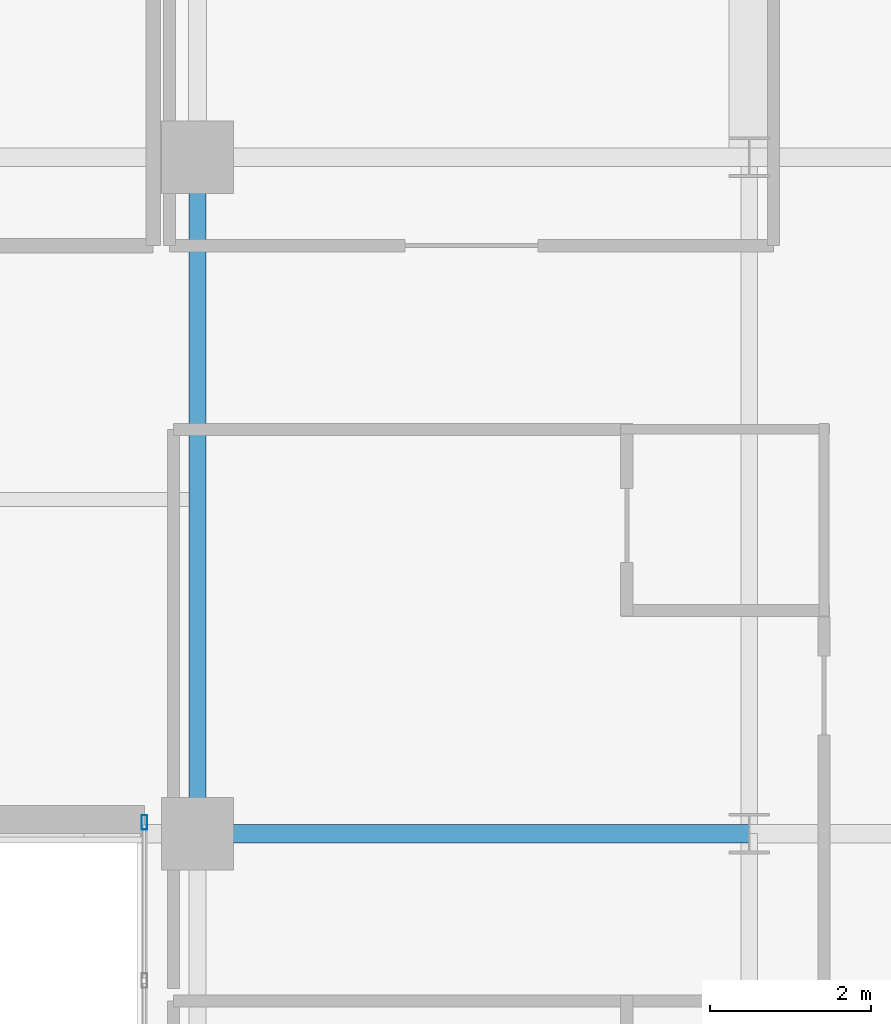
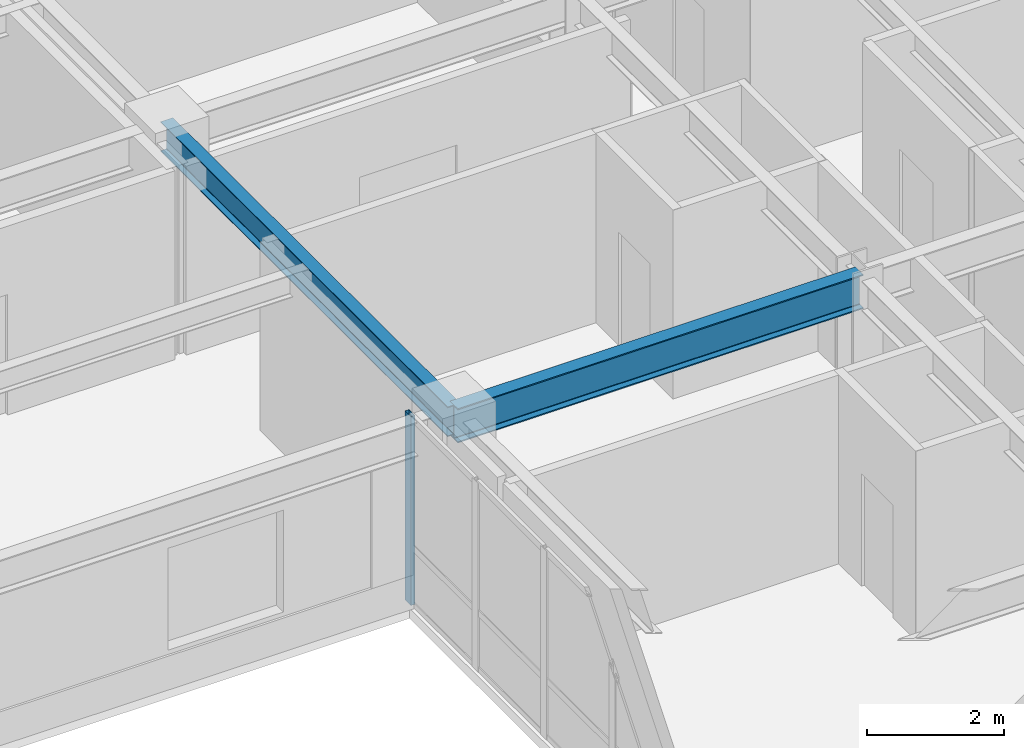
# One storey, part 11 of 25: 2 beams, 1 member, 1 element without a shape of its own.
"""IFC4 building model written with IfcOpenShell, lengths in metres."""

import ifcopenshell
import ifcopenshell.guid

model = None  # the IFC model being written
_history = None  # IfcOwnerHistory: only IFC2X3 demands one
_inside = {}  # id of a spatial element -> (the spatial element, [elements in it])
_under = {}  # id of a project, library or spatial element -> (it, [spatial elements below it])
_declared = {}  # id of a project -> (the project, [libraries it declares])
_typed = {}  # id of a type object -> (the type object, [elements of that type])
_made_of = {}  # id of a material, layer set ... -> (it, [elements and type objects made of it])


def new_model(schema):
    """Start an empty IFC model of exactly this schema.

    Asked for "IFC4X3", IfcOpenShell would pick the latest addendum, in which some entities
    have other attributes; the version numbers below select the first issue.
    IFC2X3 requires an IfcOwnerHistory on every rooted entity: one is made here for all.
    """
    global model, _history
    if schema == "IFC4X3":
        model = ifcopenshell.file(schema_version=(4, 3, 0, 0))
    else:
        model = ifcopenshell.file(schema=schema)
    _inside.clear()
    _under.clear()
    _declared.clear()
    _typed.clear()
    _made_of.clear()
    _history = None
    if model.schema == "IFC2X3":
        org = make("IfcOrganization", Name="unknown")
        user = make(
            "IfcPersonAndOrganization",
            ThePerson=make("IfcPerson", FamilyName="unknown"),
            TheOrganization=org,
        )
        app = make(
            "IfcApplication",
            ApplicationDeveloper=org,
            Version="unknown",
            ApplicationFullName="unknown",
            ApplicationIdentifier="unknown",
        )
        _history = make(
            "IfcOwnerHistory",
            OwningUser=user,
            OwningApplication=app,
            ChangeAction="ADDED",
            CreationDate=0,
        )
    return model


def make(cls, **values):
    """One entity of the class cls with the attributes given. An attribute that is None is left unset."""
    return model.create_entity(
        cls, **{name: value for name, value in values.items() if value is not None}
    )


def rooted(cls, **values):
    """An entity with a GlobalId (a new one), such as an element, a storey or a relation."""
    return make(cls, GlobalId=ifcopenshell.guid.new(), OwnerHistory=_history, **values)


def si_unit(unit_type, name, prefix=None):
    """IfcSIUnit, for example si_unit("LENGTHUNIT", "METRE", prefix="MILLI")."""
    return make("IfcSIUnit", UnitType=unit_type, Prefix=prefix, Name=name)


def assignment(units):
    """IfcUnitAssignment: the units of a project."""
    return None if units is None else make("IfcUnitAssignment", Units=units)


def point(xyz):
    """IfcCartesianPoint."""
    return None if xyz is None else make("IfcCartesianPoint", Coordinates=xyz)


def direction(xyz):
    """IfcDirection."""
    return None if xyz is None else make("IfcDirection", DirectionRatios=xyz)


def frame(location, z_axis=None, x_axis=None):
    """IfcAxis2Placement3D, a coordinate frame: its origin and axes. An axis left out is left unset."""
    return make(
        "IfcAxis2Placement3D",
        Location=point(location),
        Axis=direction(z_axis),
        RefDirection=direction(x_axis),
    )


def frame_2d(location, x_axis=None):
    """IfcAxis2Placement2D, a coordinate frame in the plane: its origin and x axis."""
    return make(
        "IfcAxis2Placement2D", Location=point(location), RefDirection=direction(x_axis)
    )


def origin():
    """The frame at (0, 0, 0) with its axes left unset."""
    return frame((0.0, 0.0, 0.0))


def origin_2d():
    """The frame at (0, 0) in the plane with its x axis left unset."""
    return frame_2d((0.0, 0.0))


def place(relative_to, where):
    """IfcLocalPlacement: puts the frame where relative to a parent placement (None: the world)."""
    return make(
        "IfcLocalPlacement", PlacementRelTo=relative_to, RelativePlacement=where
    )


def context(
    kind, dimensions, precision=None, world=None, true_north=None, identifier=None
):
    """IfcGeometricRepresentationContext, for example the 3D "Model" context."""
    return make(
        "IfcGeometricRepresentationContext",
        ContextIdentifier=identifier,
        ContextType=kind,
        CoordinateSpaceDimension=dimensions,
        Precision=precision,
        WorldCoordinateSystem=world,
        TrueNorth=true_north,
    )


def subcontext(parent, identifier, kind, view, scale=None):
    """IfcGeometricRepresentationSubContext, for example "Body" below "Model"."""
    return make(
        "IfcGeometricRepresentationSubContext",
        ContextIdentifier=identifier,
        ContextType=kind,
        ParentContext=parent,
        TargetScale=scale,
        TargetView=view,
    )


def project(units=None, contexts=None):
    """IfcProject with its units and contexts."""
    return rooted(
        "IfcProject",
        Name="project",
        RepresentationContexts=contexts,
        UnitsInContext=assignment(units),
    )


def spatial(cls, under=None, at=None, **own):
    """A site, building, storey or space (cls), placed at a placement, below another one or the project."""
    s = rooted(cls, ObjectPlacement=at, **own)
    if under is not None:
        _under.setdefault(under.id(), (under, []))[1].append(s)
    return s


def profile(cls, at=None, kind="AREA", **sizes):
    """A parametric profile (cls). Its sizes go by their IFC names, for example OverallWidth=200.0."""
    return make(cls, ProfileType=kind, Position=at, **sizes)


def hollow_rectangle(**sizes):
    """IfcRectangleHollowProfileDef."""
    return profile("IfcRectangleHollowProfileDef", **sizes)


def i_section(**sizes):
    """IfcIShapeProfileDef."""
    return profile("IfcIShapeProfileDef", **sizes)


def extrude(swept, where, along, depth):
    """IfcExtrudedAreaSolid: the profile swept, set in the frame where, extruded along a direction by depth."""
    return make(
        "IfcExtrudedAreaSolid",
        SweptArea=swept,
        Position=where,
        ExtrudedDirection=direction(along),
        Depth=depth,
    )


def shape(context_of_items, identifier, shape_type, items):
    """IfcShapeRepresentation: the items that make up one representation, for example the "Body"."""
    return make(
        "IfcShapeRepresentation",
        ContextOfItems=context_of_items,
        RepresentationIdentifier=identifier,
        RepresentationType=shape_type,
        Items=items,
    )


def source(mapping_origin, context_of_items, identifier, shape_type, items):
    """IfcRepresentationMap: a shape defined once, which mapped items show again and again."""
    return make(
        "IfcRepresentationMap",
        MappingOrigin=mapping_origin,
        MappedRepresentation=shape(context_of_items, identifier, shape_type, items),
    )


def transform(
    local_origin,
    x_axis=None,
    y_axis=None,
    z_axis=None,
    scale=None,
    scale2=None,
    scale3=None,
    uniform=True,
):
    """IfcCartesianTransformationOperator3D, or its non-uniform kind. x_axis, y_axis, z_axis: its Axis1, 2, 3."""
    if uniform:
        return make(
            "IfcCartesianTransformationOperator3D",
            Axis1=direction(x_axis),
            Axis2=direction(y_axis),
            LocalOrigin=point(local_origin),
            Scale=scale,
            Axis3=direction(z_axis),
        )
    return make(
        "IfcCartesianTransformationOperator3DnonUniform",
        Axis1=direction(x_axis),
        Axis2=direction(y_axis),
        LocalOrigin=point(local_origin),
        Scale=scale,
        Axis3=direction(z_axis),
        Scale2=scale2,
        Scale3=scale3,
    )


def mapped(mapping_source, mapping_target):
    """IfcMappedItem: shows the shape of a source again, moved by a transform."""
    return make(
        "IfcMappedItem", MappingSource=mapping_source, MappingTarget=mapping_target
    )


def material(Name=None, Category=None):
    """IfcMaterial."""
    return make("IfcMaterial", Name=Name, Category=Category)


def layer(
    of_material, thickness, ventilated=None, Name=None, Category=None, Priority=None
):
    """IfcMaterialLayer: one layer of a wall or slab, of a material (None: an air gap)."""
    return make(
        "IfcMaterialLayer",
        Material=of_material,
        LayerThickness=thickness,
        IsVentilated=ventilated,
        Name=Name,
        Category=Category,
        Priority=Priority,
    )


def layer_set(layers, Name=None):
    """IfcMaterialLayerSet."""
    return make("IfcMaterialLayerSet", MaterialLayers=layers, LayerSetName=Name)


def material_profile(
    of_material, cross_section, Name=None, Category=None, Priority=None
):
    """IfcMaterialProfile: a cross section and its material."""
    return make(
        "IfcMaterialProfile",
        Name=Name,
        Material=of_material,
        Profile=cross_section,
        Priority=Priority,
        Category=Category,
    )


def profile_set(profiles, Name=None, composite=None):
    """IfcMaterialProfileSet."""
    return make(
        "IfcMaterialProfileSet",
        Name=Name,
        MaterialProfiles=profiles,
        CompositeProfile=composite,
    )


def made_of(thing, what):
    """Note that an element or type object is made of a material, layer set ...; save() writes the relation."""
    if what is not None:
        _made_of.setdefault(what.id(), (what, []))[1].append(thing)
    return thing


def type_object(cls, material=None, **own):
    """A type object (cls), such as IfcWallType, which elements share."""
    return made_of(rooted(cls, **own), material)


def type_shapes(of_type, sources):
    """Give a type object the sources (RepresentationMaps) that its elements show as mapped items."""
    of_type.RepresentationMaps = sources


def element(
    cls,
    number,
    at=None,
    inside=None,
    cuts=None,
    type_object=None,
    material=None,
    context=None,
    identifier="Body",
    shape_type=None,
    held_by="IfcProductDefinitionShape",
    body=None,
    shapes=None,
    **own,
):
    """One element of the class cls, such as IfcWall. Its Tag is "e" and its number.

    at: its placement. inside: the storey or other place that contains it. cuts: it is an
    opening in that element (IfcRelVoidsElement). A single representation is given by context,
    identifier, shape_type and body (its items); several are given by shapes. held_by: the class
    of the entity that holds the representations. save() writes the other relations.
    """
    e = rooted(cls, Tag="e%d" % number, ObjectPlacement=at, **own)
    if body is not None:
        shapes = [shape(context, identifier, shape_type, body)]
    if shapes is not None:
        e.Representation = make(held_by, Representations=shapes)
    if inside is not None:
        _inside.setdefault(inside.id(), (inside, []))[1].append(e)
    if cuts is not None:
        rooted(
            "IfcRelVoidsElement", RelatingBuildingElement=cuts, RelatedOpeningElement=e
        )
    if type_object is not None:
        _typed.setdefault(type_object.id(), (type_object, []))[1].append(e)
    return made_of(e, material)


def aggregate(whole, parts):
    """IfcRelAggregates: a whole, such as a stair, and the parts it consists of."""
    return rooted("IfcRelAggregates", RelatingObject=whole, RelatedObjects=parts)


def save(model, path):
    """Write the relations noted so far, then the file.

    IfcRelAggregates (storeys below a building ...), IfcRelContainedInSpatialStructure (elements
    in a storey), IfcRelDefinesByType, IfcRelAssociatesMaterial and IfcRelDeclares: one each for
    every whole, place, type object, material and project.
    """
    for whole, parts in _under.values():
        aggregate(whole, parts)
    for where, things in _inside.values():
        rooted(
            "IfcRelContainedInSpatialStructure",
            RelatedElements=things,
            RelatingStructure=where,
        )
    for kind, things in _typed.values():
        rooted("IfcRelDefinesByType", RelatedObjects=things, RelatingType=kind)
    for what, things in _made_of.values():
        rooted("IfcRelAssociatesMaterial", RelatedObjects=things, RelatingMaterial=what)
    for by, libraries in _declared.values():
        rooted("IfcRelDeclares", RelatingContext=by, RelatedDefinitions=libraries)
    model.write(path)


model = new_model("IFC4")

# Units and contexts
model_context = context("Model", 3, precision=1e-05, world=origin(), true_north=direction((0.0, 1.0)))
body_context = subcontext(model_context, "Body", "Model", "MODEL_VIEW")
ifc_project = project(units=[si_unit("LENGTHUNIT", "METRE"), si_unit("AREAUNIT", "SQUARE_METRE"), si_unit("VOLUMEUNIT", "CUBIC_METRE"), si_unit("PLANEANGLEUNIT", "RADIAN"), si_unit("MASSUNIT", "GRAM", prefix="KILO")], contexts=[model_context])

# Site, building, storey
site_placement = place(None, origin())
site = spatial("IfcSite", under=ifc_project, at=site_placement, CompositionType="ELEMENT")
building_placement = place(site_placement, origin())
building = spatial("IfcBuilding", under=site, at=building_placement, Name="Tolvann Quenvar Hotel", CompositionType="ELEMENT")
storey_placement = place(building_placement, frame((0.0, 0.0, 111.550048828125)))
storey = spatial("IfcBuildingStorey", under=building, at=storey_placement, Name="L28", CompositionType="ELEMENT", Elevation=111.550048828125)

# Beams
ifc_material_1 = material(Name="Steel Grade 350", Category="steel")
ifc_material_profile_1 = material_profile(ifc_material_1, i_section(OverallWidth=0.22900390625, OverallDepth=0.612060546875, WebThickness=0.011962890625, FlangeThickness=0.01953125, FilletRadius=0.013916015625, at=origin_2d()), Name="610UB125")
ifc_profile_set_1 = profile_set([ifc_material_profile_1], Name="Steel Grade 350")
beam_type_1 = type_object("IfcBeamType", Name="BM_GIRD_610UB125", PredefinedType="BEAM", material=ifc_profile_set_1)
shared_shape_1 = source(origin(), body_context, "Body", "SweptSolid", [
    extrude(i_section(OverallWidth=0.22900390625, OverallDepth=0.612060546875, WebThickness=0.011962890625, FlangeThickness=0.01953125, FilletRadius=0.013916015625, at=origin_2d()), origin(), (0.0, 0.0, 1.0), 6.85009765625),
])
type_shapes(beam_type_1, [shared_shape_1])
beam_1_placement = place(storey_placement, frame((34.949951171875, 16.0, 3.06396484375), z_axis=(1.0, 0.0, 0.0), x_axis=(0.0, 1.0, 0.0)))
element("IfcBeam", 1, at=beam_1_placement, inside=storey, type_object=beam_type_1, Name="BM-L28-EW-4-F4-H4", PredefinedType="BEAM", context=body_context, shape_type="MappedRepresentation", body=[
    mapped(shared_shape_1, transform((0.0, 0.0, 0.0), x_axis=(1.0, 0.0, 0.0), y_axis=(0.0, 1.0, 0.0), z_axis=(0.0, 0.0, 1.0), scale=1.0)),
])
ifc_material_profile_2 = material_profile(ifc_material_1, i_section(OverallWidth=0.208984375, OverallDepth=0.532958984375, WebThickness=0.01025390625, FlangeThickness=0.015625, FilletRadius=0.013916015625, at=origin_2d()), Name="530UB92")
ifc_profile_set_2 = profile_set([ifc_material_profile_2], Name="Steel Grade 350")
beam_type_2 = type_object("IfcBeamType", Name="BM_GIRD_530UB92", PredefinedType="BEAM", material=ifc_profile_set_2)
shared_shape_2 = source(origin(), body_context, "Body", "SweptSolid", [
    extrude(i_section(OverallWidth=0.208984375, OverallDepth=0.532958984375, WebThickness=0.01025390625, FlangeThickness=0.015625, FilletRadius=0.013916015625, at=origin_2d()), origin(), (0.0, 0.0, 1.0), 8.39990234375),
])
type_shapes(beam_type_2, [shared_shape_2])
beam_2_placement = place(storey_placement, frame((34.949951171875, 16.0, 3.103515625), z_axis=(0.0, 1.0, 0.0), x_axis=(-1.0, 0.0, 0.0)))
element("IfcBeam", 2, at=beam_2_placement, inside=storey, type_object=beam_type_2, Name="BM-L28-NS-F4-F5", PredefinedType="BEAM", context=body_context, shape_type="MappedRepresentation", body=[
    mapped(shared_shape_2, transform((0.0, 0.0, 0.0), x_axis=(1.0, 0.0, 0.0), y_axis=(0.0, 1.0, 0.0), z_axis=(0.0, 0.0, 1.0), scale=1.0)),
])

# Curtain wall, member
ifc_material_2 = material(Name="Thermally broken anodised architectural aluminium 6063-T6 and laminated low-E glass", Category="aluminium")
ifc_layer = layer(ifc_material_2, 0.179931640625)
ifc_layer_set = layer_set([ifc_layer], Name="Thermally broken anodised architectural aluminium 6063-T6 and laminated low-E glass")
curtain_wall_type = type_object("IfcCurtainWallType", Name="CW_SYS_SLOT_03", PredefinedType="USERDEFINED", material=ifc_layer_set)
curtain_wall_placement = place(storey_placement, origin())
curtain_wall = element("IfcCurtainWall", 3, at=curtain_wall_placement, inside=storey, type_object=curtain_wall_type, Name="Curtain Wall CW-SLOT-03 (CWR-L28-E07)", ObjectType="UNITISED CURTAIN WALL", PredefinedType="USERDEFINED")
ifc_material_3 = material(Name="Anodised architectural aluminium 6063-T6 framing", Category="aluminium")
ifc_material_profile_3 = material_profile(ifc_material_3, hollow_rectangle(XDim=0.070068359375, YDim=0.179931640625, WallThickness=0.00390625, at=origin_2d()), Name="180x70x4RHS")
ifc_profile_set_3 = profile_set([ifc_material_profile_3], Name="Anodised architectural aluminium 6063-T6 framing")
member_type = type_object("IfcMemberType", Name="CW_MULL_180x70", PredefinedType="MULLION", material=ifc_profile_set_3)
shared_shape_3 = source(origin(), body_context, "Body", "SweptSolid", [
    extrude(hollow_rectangle(XDim=0.070068359375, YDim=0.179931640625, WallThickness=0.00390625, at=origin_2d()), origin(), (0.0, 0.0, 1.0), 3.369873046875),
])
type_shapes(member_type, [shared_shape_3])
member_placement = place(storey_placement, frame((34.2900390625, 16.139892578125, 0.0), z_axis=(0.0, 0.0, 1.0), x_axis=(1.0, 0.0, 0.0)))
member = element("IfcMember", 4, at=member_placement, type_object=member_type, Name="CW-SLOT-03 mullion 1", PredefinedType="MULLION", context=body_context, shape_type="MappedRepresentation", body=[
    mapped(shared_shape_3, transform((0.0, 0.0, 0.0), x_axis=(1.0, 0.0, 0.0), y_axis=(0.0, 1.0, 0.0), z_axis=(0.0, 0.0, 1.0), scale=1.0)),
])
aggregate(curtain_wall, [member])

save(model, "model.ifc")
